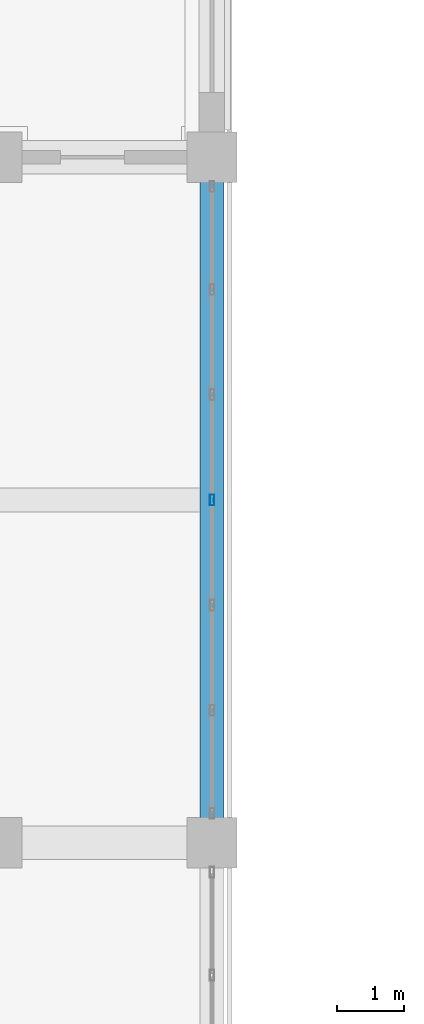
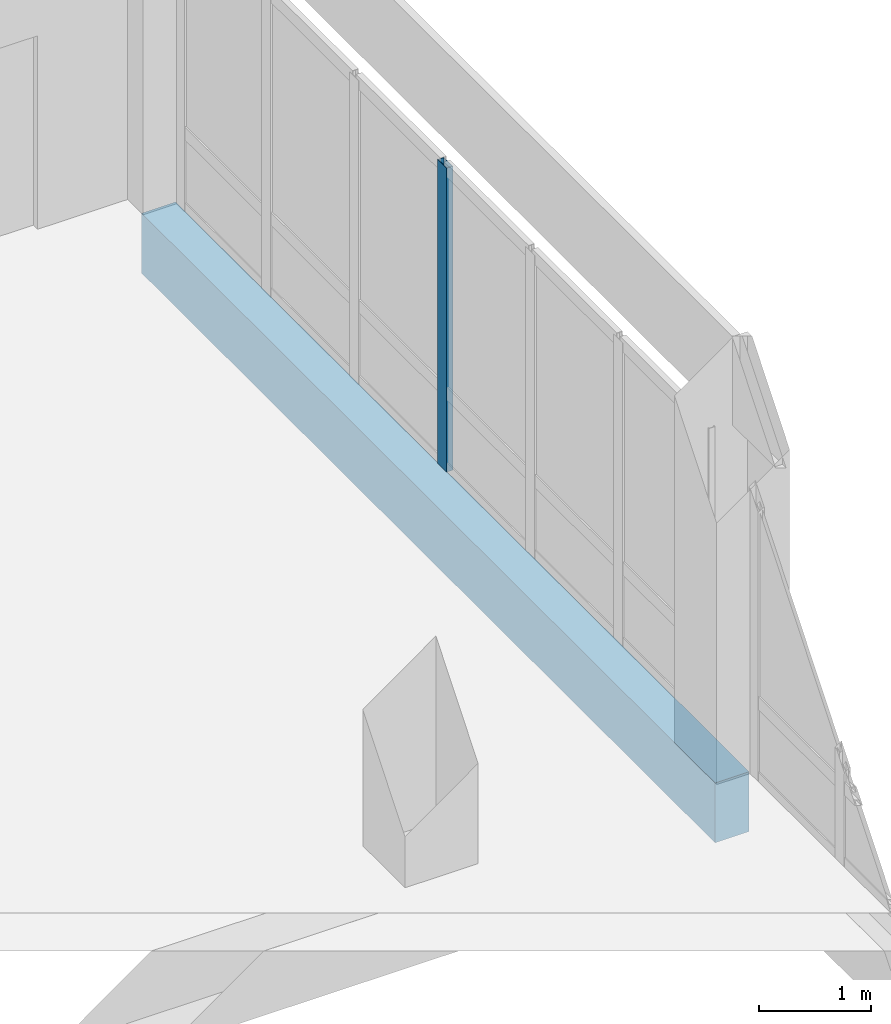
# One storey, part 22 of 170: 1 beam, 1 member, 1 element without a shape of its own.
"""IFC4 building model written with IfcOpenShell, lengths in metres."""

from ifc_helpers import new_model, si_unit, direction, frame, origin, origin_2d, place, context, subcontext, project, spatial, rectangle, hollow_rectangle, extrude, material, material_profile, profile_set, type_object, element, aggregate, save


model = new_model("IFC4")

# Units and contexts
model_context = context("Model", 3, precision=1e-05, world=origin(), true_north=direction((0.0, 1.0)))
body_context = subcontext(model_context, "Body", "Model", "MODEL_VIEW")
ifc_project = project(units=[si_unit("LENGTHUNIT", "METRE"), si_unit("AREAUNIT", "SQUARE_METRE"), si_unit("VOLUMEUNIT", "CUBIC_METRE"), si_unit("PLANEANGLEUNIT", "RADIAN"), si_unit("MASSUNIT", "GRAM", prefix="KILO")], contexts=[model_context])

# Site, building, storey
site_placement = place(None, origin())
site = spatial("IfcSite", under=ifc_project, at=site_placement, CompositionType="ELEMENT")
building_placement = place(site_placement, origin())
building = spatial("IfcBuilding", under=site, at=building_placement, Name="Vondelvale Polytechnic", CompositionType="ELEMENT")
storey_placement = place(building_placement, frame((0.0, 0.0, 5.39990234375)))
storey = spatial("IfcBuildingStorey", under=building, at=storey_placement, Name="L01", CompositionType="ELEMENT", Elevation=5.39990234375)

# Curtain wall, member
ifc_material_1 = material(Name="Anodised extruded aluminium 6063-T6", Category="aluminium")
curtain_wall_type = type_object("IfcCurtainWallType", Name="CW-STUDIO-NORTH", PredefinedType="NOTDEFINED", material=ifc_material_1)
curtain_wall_placement = place(storey_placement, origin())
curtain_wall = element("IfcCurtainWall", 1, at=curtain_wall_placement, inside=storey, type_object=curtain_wall_type, Name="L01 architectural curtain wall CW-01-008", PredefinedType="NOTDEFINED")
ifc_material_profile_1 = material_profile(ifc_material_1, hollow_rectangle(XDim=0.06494140625, YDim=0.159912109375, WallThickness=0.0048828125, at=origin_2d()), Name="CW-MUL-160x65")
ifc_profile_set_1 = profile_set([ifc_material_profile_1], Name="Anodised extruded aluminium 6063-T6")
member_type = type_object("IfcMemberType", Name="CW-MUL-65x160", PredefinedType="MULLION", material=ifc_profile_set_1)
member_placement = place(storey_placement, frame((48.0, 15.300048828125, 0.0), z_axis=(0.0, 0.0, 1.0), x_axis=(-1.0, 0.0, 0.0)))
member = element("IfcMember", 2, at=member_placement, type_object=member_type, Name="CW-01-008 mullion 4", PredefinedType="MULLION", context=body_context, shape_type="SweptSolid", body=[
    extrude(hollow_rectangle(XDim=0.06494140625, YDim=0.159912109375, WallThickness=0.0048828125, at=origin_2d()), origin(), (0.0, 0.0, 1.0), 3.300048828125),
])
aggregate(curtain_wall, [member])

# Beam
ifc_material_2 = material(Name="Precast concrete N40 (f'c = 40 MPa)", Category="concrete")
ifc_material_profile_2 = material_profile(ifc_material_2, rectangle(XDim=0.35009765625, YDim=0.64990234375, at=origin_2d()), Name="RC-SPN-350x650")
ifc_profile_set_2 = profile_set([ifc_material_profile_2], Name="Precast concrete N40 (f'c = 40 MPa)")
beam_type = type_object("IfcBeamType", Name="SPN-PRE350x650", PredefinedType="SPANDREL", material=ifc_profile_set_2)
beam_placement = place(storey_placement, frame((48.0, 10.199951171875, -0.60498046875), z_axis=(0.0, 1.0, 0.0), x_axis=(-1.0, 0.0, 0.0)))
element("IfcBeam", 3, at=beam_placement, inside=storey, type_object=beam_type, Name="L01 B SP-02", PredefinedType="SPANDREL", context=body_context, shape_type="SweptSolid", body=[
    extrude(rectangle(XDim=0.35009765625, YDim=0.64990234375, at=origin_2d()), origin(), (0.0, 0.0, 1.0), 10.199951171875),
])

save(model, "model.ifc")
